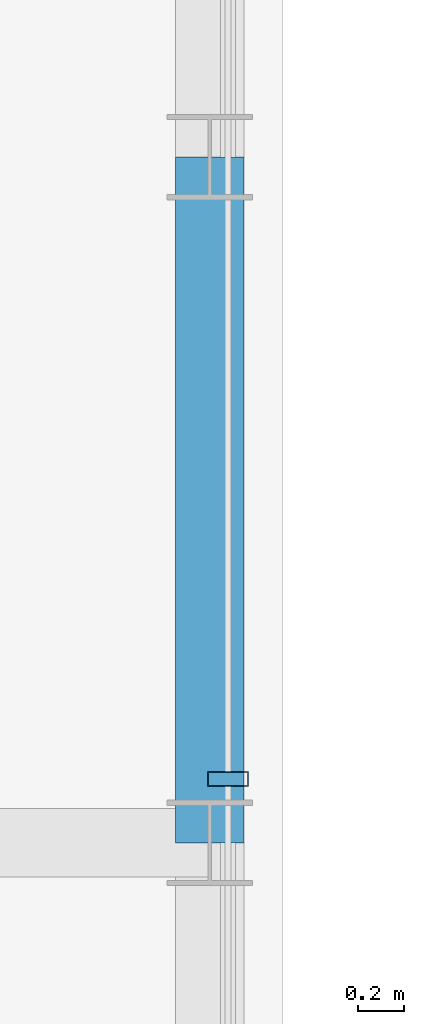
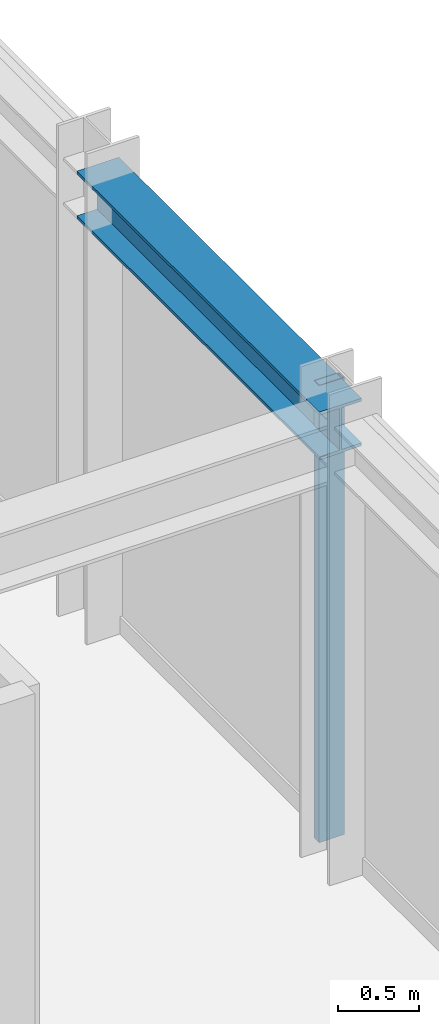
# One storey, part 15 of 31: 1 beam, 1 member, 1 element without a shape of its own.
"""IFC4 building model written with IfcOpenShell, lengths in metres."""

from ifc_helpers import new_model, si_unit, direction, frame, origin, origin_2d, place, context, subcontext, project, spatial, hollow_rectangle, i_section, extrude, source, transform, mapped, material, material_profile, profile_set, type_object, element, aggregate, save


model = new_model("IFC4")

# Units and contexts
model_context = context("Model", 3, precision=1e-05, world=origin(), true_north=direction((0.0, 1.0)))
body_context = subcontext(model_context, "Body", "Model", "MODEL_VIEW")
ifc_project = project(units=[si_unit("LENGTHUNIT", "METRE"), si_unit("AREAUNIT", "SQUARE_METRE"), si_unit("VOLUMEUNIT", "CUBIC_METRE"), si_unit("PLANEANGLEUNIT", "RADIAN"), si_unit("MASSUNIT", "GRAM", prefix="KILO")], contexts=[model_context])

# Site, building, storey
site_placement = place(None, origin())
site = spatial("IfcSite", under=ifc_project, at=site_placement, CompositionType="ELEMENT")
building_placement = place(site_placement, origin())
building = spatial("IfcBuilding", under=site, at=building_placement, Name="Nahalor Promenade Grand Hotel", CompositionType="ELEMENT")
storey_placement = place(building_placement, frame((0.0, 0.0, 281.300048828125)))
storey = spatial("IfcBuildingStorey", under=building, at=storey_placement, Name="L72", CompositionType="ELEMENT", Elevation=281.300048828125)

# Beam
ifc_material_1 = material(Name="Steel S355JR", Category="steel")
ifc_material_profile_1 = material_profile(ifc_material_1, i_section(OverallWidth=0.3, OverallDepth=0.36, WebThickness=0.0125, FlangeThickness=0.0225, at=origin_2d()), Name="HEB 360")
ifc_profile_set_1 = profile_set([ifc_material_profile_1], Name="Steel S355JR")
beam_type = type_object("IfcBeamType", Name="Beam-Spandrel-HEB360", PredefinedType="SPANDREL", material=ifc_profile_set_1)
shared_shape_1 = source(origin(), body_context, "Body", "SweptSolid", [
    extrude(i_section(OverallWidth=0.3, OverallDepth=0.36, WebThickness=0.0125, FlangeThickness=0.0225, at=origin_2d()), origin(), (0.0, 0.0, 1.0), 3.0),
])
beam_placement = place(storey_placement, frame((22.47998046875, 5.39990234375, 3.27001953125), z_axis=(0.0, 1.0, 0.0), x_axis=(-1.0, 0.0, 0.0)))
element("IfcBeam", 1, at=beam_placement, inside=storey, type_object=beam_type, Name="BM-L72-SP-E-3", PredefinedType="SPANDREL", context=body_context, shape_type="MappedRepresentation", body=[
    mapped(shared_shape_1, transform((0.0, 0.0, 0.0), scale=1.0)),
])

# Curtain wall, member
ifc_material_2 = material(Name="Anodised Bronze Aluminium EN AW-6063 T6", Category="aluminium")
curtain_wall_type = type_object("IfcCurtainWallType", Name="CW2 Typical Hotel Flush Bronze Unitised Curtain Wall", PredefinedType="USERDEFINED", material=ifc_material_2)
curtain_wall_placement = place(storey_placement, origin())
curtain_wall = element("IfcCurtainWall", 2, at=curtain_wall_placement, inside=storey, type_object=curtain_wall_type, Name="L72 Curtain Wall CW-L72-E-3", ObjectType="UNITISED_CURTAIN_WALL", PredefinedType="USERDEFINED")
ifc_material_profile_2 = material_profile(ifc_material_2, hollow_rectangle(XDim=0.065, YDim=0.18, WallThickness=0.004, at=origin_2d()), Name="CWM 65x180x4")
ifc_profile_set_2 = profile_set([ifc_material_profile_2], Name="Anodised Bronze Aluminium EN AW-6063 T6")
member_type = type_object("IfcMemberType", Name="CWM2 Typical Bronze Mullion 65x180", PredefinedType="MULLION", material=ifc_profile_set_2)
shared_shape_2 = source(origin(), body_context, "Body", "SweptSolid", [
    extrude(hollow_rectangle(XDim=0.065, YDim=0.18, WallThickness=0.004, at=origin_2d()), origin(), (0.0, 0.0, 1.0), 3.449951171875),
])
member_placement = place(storey_placement, frame((22.56005859375, 5.679931640625, 0.0), z_axis=(0.0, 0.0, 1.0), x_axis=(0.0, 1.0, 0.0)))
member = element("IfcMember", 3, at=member_placement, type_object=member_type, Name="CW-L72-E-3 Mullion 1", PredefinedType="MULLION", context=body_context, shape_type="MappedRepresentation", body=[
    mapped(shared_shape_2, transform((0.0, 0.0, 0.0), scale=1.0)),
])
aggregate(curtain_wall, [member])

save(model, "model.ifc")
